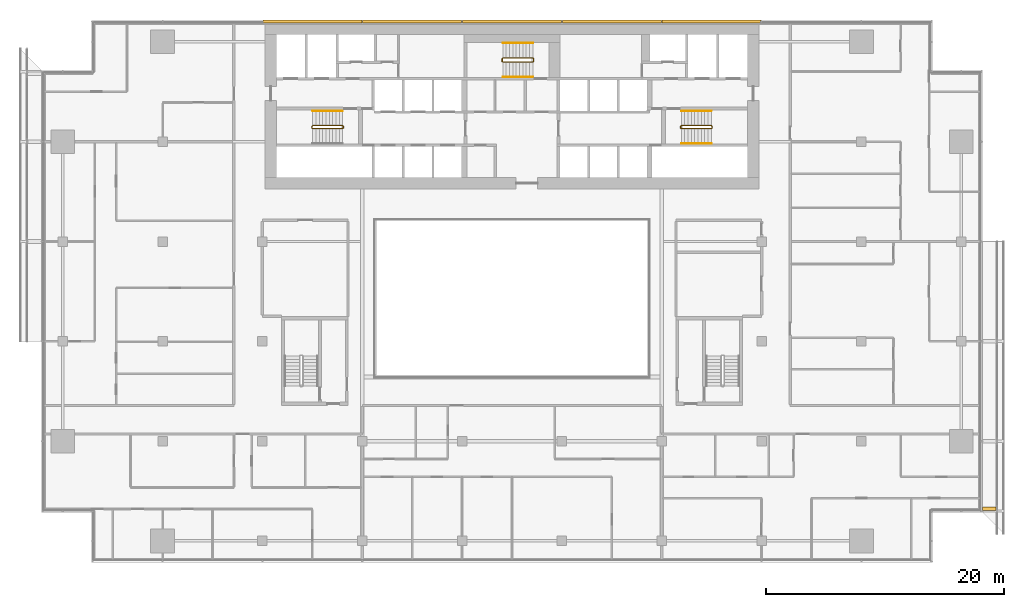
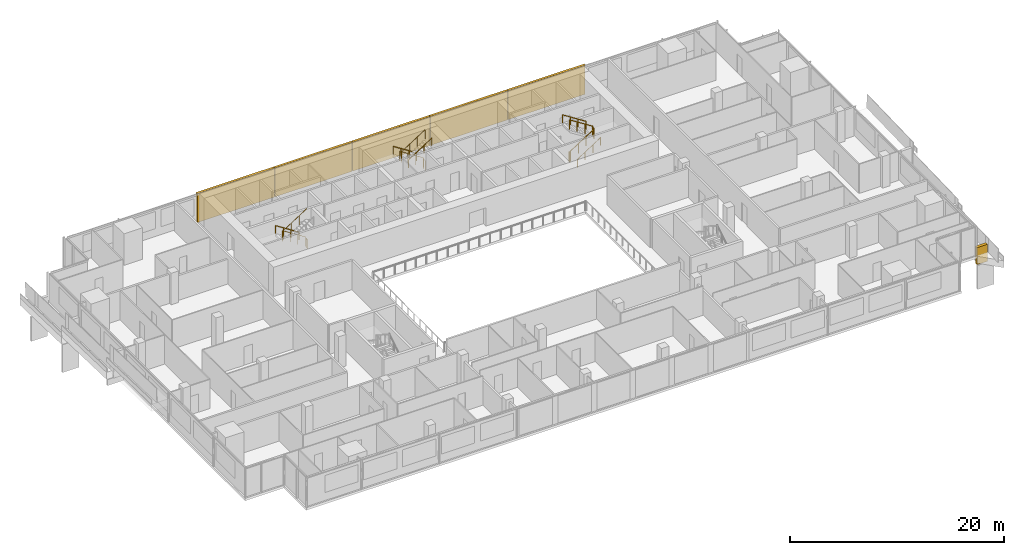
# One storey, part 24 of 25: 8 railings, 6 coverings.
"""IFC4 building model written with IfcOpenShell, lengths in metres."""

from ifc_helpers import new_model, si_unit, direction, frame, origin, origin_2d, place, context, subcontext, project, spatial, polyline, rectangle, circle, outline, extrude, material, layer, layer_set, type_object, element, save


model = new_model("IFC4")

# Units and contexts
model_context = context("Model", 3, precision=1e-05, world=origin(), true_north=direction((0.0, 1.0)))
body_context = subcontext(model_context, "Body", "Model", "MODEL_VIEW")
ifc_project = project(units=[si_unit("LENGTHUNIT", "METRE"), si_unit("AREAUNIT", "SQUARE_METRE"), si_unit("VOLUMEUNIT", "CUBIC_METRE"), si_unit("PLANEANGLEUNIT", "RADIAN"), si_unit("MASSUNIT", "GRAM", prefix="KILO")], contexts=[model_context])

# Site, building, storey
site_placement = place(None, origin())
site = spatial("IfcSite", under=ifc_project, at=site_placement, CompositionType="ELEMENT")
building_placement = place(site_placement, origin())
building = spatial("IfcBuilding", under=site, at=building_placement, Name="Saffron Gate Tower", CompositionType="ELEMENT")
storey_placement = place(building_placement, frame((0.0, 0.0, 131.25)))
storey = spatial("IfcBuildingStorey", under=building, at=storey_placement, Name="L31", CompositionType="ELEMENT", Elevation=131.25)

# Coverings
ifc_material_1 = material(Name="Ceramic-printed bronze insulated panel")
ifc_layer_1 = layer(ifc_material_1, 0.239990234375)
ifc_layer_set_1 = layer_set([ifc_layer_1], Name="CLD2 ceramic-printed cladding panel 240")
covering_type_1 = type_object("IfcCoveringType", Name="CLD2 ceramic-printed cladding panel 240", PredefinedType="CLADDING", material=ifc_layer_set_1)
covering_1_placement = place(storey_placement, origin())
element("IfcCovering", 1, at=covering_1_placement, inside=storey, type_object=covering_type_1, Name="CLADDING ceramic-printed panel", PredefinedType="CLADDING", context=body_context, shape_type="SweptSolid", body=[
    extrude(outline(polyline([(108.56494140625, 75.639892578125), (100.235107421875, 75.639892578125), (100.235107421875, 75.39990234375), (108.56494140625, 75.39990234375), (108.56494140625, 75.639892578125)])), origin(), (0.0, 0.0, 1.0), 3.320068359375),
])
covering_2_placement = place(storey_placement, origin())
element("IfcCovering", 2, at=covering_2_placement, inside=storey, type_object=covering_type_1, Name="CLADDING ceramic-printed panel", PredefinedType="CLADDING", context=body_context, shape_type="SweptSolid", body=[
    extrude(outline(polyline([(100.1650390625, 75.639892578125), (91.8349609375, 75.639892578125), (91.8349609375, 75.39990234375), (100.1650390625, 75.39990234375), (100.1650390625, 75.639892578125)])), origin(), (0.0, 0.0, 1.0), 3.320068359375),
])
covering_3_placement = place(storey_placement, origin())
element("IfcCovering", 3, at=covering_3_placement, inside=storey, type_object=covering_type_1, Name="CLADDING ceramic-printed panel", PredefinedType="CLADDING", context=body_context, shape_type="SweptSolid", body=[
    extrude(outline(polyline([(91.764892578125, 75.639892578125), (83.43505859375, 75.639892578125), (83.43505859375, 75.39990234375), (91.764892578125, 75.39990234375), (91.764892578125, 75.639892578125)])), origin(), (0.0, 0.0, 1.0), 3.320068359375),
])
covering_4_placement = place(storey_placement, origin())
element("IfcCovering", 4, at=covering_4_placement, inside=storey, type_object=covering_type_1, Name="CLADDING ceramic-printed panel", PredefinedType="CLADDING", context=body_context, shape_type="SweptSolid", body=[
    extrude(outline(polyline([(83.364990234375, 75.639892578125), (75.034912109375, 75.639892578125), (75.034912109375, 75.39990234375), (83.364990234375, 75.39990234375), (83.364990234375, 75.639892578125)])), origin(), (0.0, 0.0, 1.0), 3.320068359375),
])
covering_5_placement = place(storey_placement, origin())
element("IfcCovering", 5, at=covering_5_placement, inside=storey, type_object=covering_type_1, Name="CLADDING ceramic-printed panel", PredefinedType="CLADDING", context=body_context, shape_type="SweptSolid", body=[
    extrude(outline(polyline([(74.965087890625, 75.639892578125), (66.635009765625, 75.639892578125), (66.635009765625, 75.39990234375), (74.965087890625, 75.39990234375), (74.965087890625, 75.639892578125)])), origin(), (0.0, 0.0, 1.0), 3.320068359375),
])

# Railings
ifc_material_2 = material(Name="Stainless steel and laminated glass", Category="steel")
railing_type_1 = type_object("IfcRailingType", Name="CR1 Stair guard 1100", PredefinedType="GUARDRAIL", material=ifc_material_2)
railing_1_placement = place(storey_placement, frame((73.39990234375, 66.550048828125, 0.0)))
element("IfcRailing", 6, at=railing_1_placement, inside=storey, type_object=railing_type_1, Name="L31 ST-A stair guard 1", PredefinedType="GUARDRAIL", context=body_context, shape_type="SweptSolid", body=[
    extrude(circle(Radius=0.02392578125, at=origin_2d()), frame((0.0, 0.0, 1.076171875), z_axis=(0.0, 1.0, 0.0), x_axis=(-1.0, 0.0, 0.0)), (0.0, 0.0, 1.0), 0.14990234375),
    extrude(circle(Radius=0.02392578125, at=origin_2d()), frame((0.0, 0.14990234375, 1.076171875), z_axis=(-0.257669022063, 0.258932105505, 0.930892496375), x_axis=(-0.708833529934, -0.705375805398, 0.0)), (0.0, 0.0, 1.0), 0.193359375),
    extrude(circle(Radius=0.02392578125, at=origin_2d()), frame((-0.0498046875, 0.199951171875, 1.255859375), z_axis=(-0.841162588446, 0.0, 0.540782303519), x_axis=(0.0, -1.0, 0.0)), (0.0, 0.0, 1.0), 2.995849609375),
    extrude(circle(Radius=0.02392578125, at=origin_2d()), frame((-2.56982421875, 0.199951171875, 2.8759765625), z_axis=(-0.707106781187, -0.707106781187, 0.0), x_axis=(0.707106781187, -0.707106781187, 0.0)), (0.0, 0.0, 1.0), 0.07080078125),
    extrude(circle(Radius=0.02392578125, at=origin_2d()), frame((-2.619873046875, 0.14990234375, 2.8759765625), z_axis=(0.0, -1.0, 0.0), x_axis=(1.0, 0.0, 0.0)), (0.0, 0.0, 1.0), 0.14990234375),
    extrude(circle(Radius=0.02392578125, at=origin_2d()), frame((-2.619873046875, 0.0, 2.8759765625), z_axis=(0.258847668887, -0.258847668887, 0.930588936439), x_axis=(0.707106781187, 0.707106781187, 0.0)), (0.0, 0.0, 1.0), 0.193359375),
    extrude(circle(Radius=0.02392578125, at=origin_2d()), frame((-2.56982421875, -0.050048828125, 3.05615234375), z_axis=(0.841162588446, 0.0, 0.540782303519), x_axis=(0.0, 1.0, 0.0)), (0.0, 0.0, 1.0), 2.995849609375),
    extrude(circle(Radius=0.02099609375, at=origin_2d()), origin(), (0.0, 0.0, 1.0), 1.052001953125),
    extrude(circle(Radius=0.02099609375, at=origin_2d()), frame((0.0, 0.14990234375, 0.0)), (0.0, 0.0, 1.0), 1.052001953125),
    extrude(circle(Radius=0.02099609375, at=origin_2d()), frame((-0.0498046875, 0.199951171875, 0.179931640625)), (0.0, 0.0, 1.0), 1.052001953125),
    extrude(circle(Radius=0.02099609375, at=origin_2d()), frame((-0.889892578125, 0.199951171875, 0.719970703125)), (0.0, 0.0, 1.0), 1.052001953125),
    extrude(circle(Radius=0.02099609375, at=origin_2d()), frame((-1.729736328125, 0.199951171875, 1.260009765625)), (0.0, 0.0, 1.0), 1.052001953125),
    extrude(circle(Radius=0.02099609375, at=origin_2d()), frame((-2.56982421875, 0.199951171875, 1.800048828125)), (0.0, 0.0, 1.0), 1.052001953125),
    extrude(circle(Radius=0.02099609375, at=origin_2d()), frame((-2.619873046875, 0.14990234375, 1.800048828125)), (0.0, 0.0, 1.0), 1.052001953125),
    extrude(circle(Radius=0.02099609375, at=origin_2d()), frame((-2.619873046875, 0.0, 1.800048828125)), (0.0, 0.0, 1.0), 1.052001953125),
    extrude(circle(Radius=0.02099609375, at=origin_2d()), frame((-2.56982421875, -0.050048828125, 1.97998046875)), (0.0, 0.0, 1.0), 1.052001953125),
    extrude(circle(Radius=0.02099609375, at=origin_2d()), frame((-1.729736328125, -0.050048828125, 2.52001953125)), (0.0, 0.0, 1.0), 1.052001953125),
    extrude(circle(Radius=0.02099609375, at=origin_2d()), frame((-0.889892578125, -0.050048828125, 3.06005859375)), (0.0, 0.0, 1.0), 1.052001953125),
    extrude(circle(Radius=0.02099609375, at=origin_2d()), frame((-0.0498046875, -0.050048828125, 3.60009765625)), (0.0, 0.0, 1.0), 1.052001953125),
])
railing_2_placement = place(storey_placement, frame((101.800048828125, 66.699951171875, 0.0)))
element("IfcRailing", 7, at=railing_2_placement, inside=storey, type_object=railing_type_1, Name="L31 ST-B stair guard 1", PredefinedType="GUARDRAIL", context=body_context, shape_type="SweptSolid", body=[
    extrude(circle(Radius=0.02392578125, at=origin_2d()), frame((0.0, 0.0, 1.076171875), z_axis=(0.0, -1.0, 0.0), x_axis=(1.0, 0.0, 0.0)), (0.0, 0.0, 1.0), 0.14990234375),
    extrude(circle(Radius=0.02392578125, at=origin_2d()), frame((0.0, -0.14990234375, 1.076171875), z_axis=(0.258847668887, -0.258847668887, 0.930588936439), x_axis=(0.707106781187, 0.707106781187, 0.0)), (0.0, 0.0, 1.0), 0.193359375),
    extrude(circle(Radius=0.02392578125, at=origin_2d()), frame((0.050048828125, -0.199951171875, 1.255859375), z_axis=(0.841162588446, 0.0, 0.540782303519), x_axis=(0.0, 1.0, 0.0)), (0.0, 0.0, 1.0), 2.995849609375),
    extrude(circle(Radius=0.02392578125, at=origin_2d()), frame((2.570068359375, -0.199951171875, 2.8759765625), z_axis=(0.705375805398, 0.708833529934, 0.0), x_axis=(-0.708833529934, 0.705375805398, 0.0)), (0.0, 0.0, 1.0), 0.070556640625),
    extrude(circle(Radius=0.02392578125, at=origin_2d()), frame((2.619873046875, -0.14990234375, 2.8759765625), z_axis=(0.0, 1.0, 0.0), x_axis=(-1.0, 0.0, 0.0)), (0.0, 0.0, 1.0), 0.14990234375),
    extrude(circle(Radius=0.02392578125, at=origin_2d()), frame((2.619873046875, 0.0, 2.8759765625), z_axis=(-0.257669022063, 0.258932105505, 0.930892496375), x_axis=(-0.708833529934, -0.705375805398, 0.0)), (0.0, 0.0, 1.0), 0.193359375),
    extrude(circle(Radius=0.02392578125, at=origin_2d()), frame((2.570068359375, 0.050048828125, 3.05615234375), z_axis=(-0.841162588446, 0.0, 0.540782303519), x_axis=(0.0, -1.0, 0.0)), (0.0, 0.0, 1.0), 2.995849609375),
    extrude(circle(Radius=0.02099609375, at=origin_2d()), origin(), (0.0, 0.0, 1.0), 1.052001953125),
    extrude(circle(Radius=0.02099609375, at=origin_2d()), frame((0.0, -0.14990234375, 0.0)), (0.0, 0.0, 1.0), 1.052001953125),
    extrude(circle(Radius=0.02099609375, at=origin_2d()), frame((0.050048828125, -0.199951171875, 0.179931640625)), (0.0, 0.0, 1.0), 1.052001953125),
    extrude(circle(Radius=0.02099609375, at=origin_2d()), frame((0.89013671875, -0.199951171875, 0.719970703125)), (0.0, 0.0, 1.0), 1.052001953125),
    extrude(circle(Radius=0.02099609375, at=origin_2d()), frame((1.72998046875, -0.199951171875, 1.260009765625)), (0.0, 0.0, 1.0), 1.052001953125),
    extrude(circle(Radius=0.02099609375, at=origin_2d()), frame((2.570068359375, -0.199951171875, 1.800048828125)), (0.0, 0.0, 1.0), 1.052001953125),
    extrude(circle(Radius=0.02099609375, at=origin_2d()), frame((2.619873046875, -0.14990234375, 1.800048828125)), (0.0, 0.0, 1.0), 1.052001953125),
    extrude(circle(Radius=0.02099609375, at=origin_2d()), frame((2.619873046875, 0.0, 1.800048828125)), (0.0, 0.0, 1.0), 1.052001953125),
    extrude(circle(Radius=0.02099609375, at=origin_2d()), frame((2.570068359375, 0.050048828125, 1.97998046875)), (0.0, 0.0, 1.0), 1.052001953125),
    extrude(circle(Radius=0.02099609375, at=origin_2d()), frame((1.72998046875, 0.050048828125, 2.52001953125)), (0.0, 0.0, 1.0), 1.052001953125),
    extrude(circle(Radius=0.02099609375, at=origin_2d()), frame((0.89013671875, 0.050048828125, 3.06005859375)), (0.0, 0.0, 1.0), 1.052001953125),
    extrude(circle(Radius=0.02099609375, at=origin_2d()), frame((0.050048828125, 0.050048828125, 3.60009765625)), (0.0, 0.0, 1.0), 1.052001953125),
])
railing_3_placement = place(storey_placement, frame((89.39990234375, 72.14990234375, 0.0)))
element("IfcRailing", 8, at=railing_3_placement, inside=storey, type_object=railing_type_1, Name="L31 ST-C stair guard 1", PredefinedType="GUARDRAIL", context=body_context, shape_type="SweptSolid", body=[
    extrude(circle(Radius=0.02392578125, at=origin_2d()), frame((0.0, 0.0, 1.076171875), z_axis=(0.0, 1.0, 0.0), x_axis=(-1.0, 0.0, 0.0)), (0.0, 0.0, 1.0), 0.25),
    extrude(circle(Radius=0.02392578125, at=origin_2d()), frame((0.0, 0.25, 1.076171875), z_axis=(-0.257669022063, 0.258932105505, 0.930892496375), x_axis=(-0.708833529934, -0.705375805398, 0.0)), (0.0, 0.0, 1.0), 0.193359375),
    extrude(circle(Radius=0.02392578125, at=origin_2d()), frame((-0.0498046875, 0.300048828125, 1.255859375), z_axis=(-0.841162588446, 0.0, 0.540782303519), x_axis=(0.0, -1.0, 0.0)), (0.0, 0.0, 1.0), 2.995849609375),
    extrude(circle(Radius=0.02392578125, at=origin_2d()), frame((-2.56982421875, 0.300048828125, 2.8759765625), z_axis=(-0.707106781187, -0.707106781187, 0.0), x_axis=(0.707106781187, -0.707106781187, 0.0)), (0.0, 0.0, 1.0), 0.07080078125),
    extrude(circle(Radius=0.02392578125, at=origin_2d()), frame((-2.619873046875, 0.25, 2.8759765625), z_axis=(0.0, -1.0, 0.0), x_axis=(1.0, 0.0, 0.0)), (0.0, 0.0, 1.0), 0.25),
    extrude(circle(Radius=0.02392578125, at=origin_2d()), frame((-2.619873046875, 0.0, 2.8759765625), z_axis=(0.258932105505, -0.257669022063, 0.930892496375), x_axis=(0.705375805398, 0.708833529934, 0.0)), (0.0, 0.0, 1.0), 0.193359375),
    extrude(circle(Radius=0.02392578125, at=origin_2d()), frame((-2.56982421875, -0.0498046875, 3.05615234375), z_axis=(0.841162588446, 0.0, 0.540782303519), x_axis=(0.0, 1.0, 0.0)), (0.0, 0.0, 1.0), 2.995849609375),
    extrude(circle(Radius=0.02099609375, at=origin_2d()), origin(), (0.0, 0.0, 1.0), 1.052001953125),
    extrude(circle(Radius=0.02099609375, at=origin_2d()), frame((0.0, 0.25, 0.0)), (0.0, 0.0, 1.0), 1.052001953125),
    extrude(circle(Radius=0.02099609375, at=origin_2d()), frame((-0.0498046875, 0.300048828125, 0.179931640625)), (0.0, 0.0, 1.0), 1.052001953125),
    extrude(circle(Radius=0.02099609375, at=origin_2d()), frame((-0.889892578125, 0.300048828125, 0.719970703125)), (0.0, 0.0, 1.0), 1.052001953125),
    extrude(circle(Radius=0.02099609375, at=origin_2d()), frame((-1.729736328125, 0.300048828125, 1.260009765625)), (0.0, 0.0, 1.0), 1.052001953125),
    extrude(circle(Radius=0.02099609375, at=origin_2d()), frame((-2.56982421875, 0.300048828125, 1.800048828125)), (0.0, 0.0, 1.0), 1.052001953125),
    extrude(circle(Radius=0.02099609375, at=origin_2d()), frame((-2.619873046875, 0.25, 1.800048828125)), (0.0, 0.0, 1.0), 1.052001953125),
    extrude(circle(Radius=0.02099609375, at=origin_2d()), frame((-2.619873046875, 0.0, 1.800048828125)), (0.0, 0.0, 1.0), 1.052001953125),
    extrude(circle(Radius=0.02099609375, at=origin_2d()), frame((-2.56982421875, -0.0498046875, 1.97998046875)), (0.0, 0.0, 1.0), 1.052001953125),
    extrude(circle(Radius=0.02099609375, at=origin_2d()), frame((-1.729736328125, -0.0498046875, 2.52001953125)), (0.0, 0.0, 1.0), 1.052001953125),
    extrude(circle(Radius=0.02099609375, at=origin_2d()), frame((-0.889892578125, -0.0498046875, 3.06005859375)), (0.0, 0.0, 1.0), 1.052001953125),
    extrude(circle(Radius=0.02099609375, at=origin_2d()), frame((-0.0498046875, -0.0498046875, 3.60009765625)), (0.0, 0.0, 1.0), 1.052001953125),
])
ifc_material_3 = material(Name="Stainless steel", Category="steel")
railing_type_2 = type_object("IfcRailingType", Name="CR2 Stair handrail 900", PredefinedType="HANDRAIL", material=ifc_material_3)
railing_4_placement = place(storey_placement, frame((73.35009765625, 68.0, 0.179931640625)))
element("IfcRailing", 9, at=railing_4_placement, inside=storey, type_object=railing_type_2, Name="L31 ST-A stair handrail 1", PredefinedType="HANDRAIL", context=body_context, shape_type="SweptSolid", body=[
    extrude(circle(Radius=0.02392578125, at=origin_2d()), frame((0.0, 0.0, 0.8759765625), z_axis=(-0.841162588446, 0.0, 0.540782303519), x_axis=(0.0, -1.0, 0.0)), (0.0, 0.0, 1.0), 2.995849609375),
    extrude(circle(Radius=0.02099609375, at=origin_2d()), origin(), (0.0, 0.0, 1.0), 0.851806640625),
    extrude(circle(Radius=0.02099609375, at=origin_2d()), frame((-0.840087890625, 0.0, 0.5400390625)), (0.0, 0.0, 1.0), 0.851806640625),
    extrude(circle(Radius=0.02099609375, at=origin_2d()), frame((-1.679931640625, 0.0, 1.080078125)), (0.0, 0.0, 1.0), 0.851806640625),
    extrude(circle(Radius=0.02099609375, at=origin_2d()), frame((-2.52001953125, 0.0, 1.6201171875)), (0.0, 0.0, 1.0), 0.851806640625),
])
railing_5_placement = place(storey_placement, frame((101.85009765625, 65.25, 0.179931640625)))
element("IfcRailing", 10, at=railing_5_placement, inside=storey, type_object=railing_type_2, Name="L31 ST-B stair handrail 1", PredefinedType="HANDRAIL", context=body_context, shape_type="SweptSolid", body=[
    extrude(circle(Radius=0.02392578125, at=origin_2d()), frame((0.0, 0.0, 0.8759765625), z_axis=(0.841162588446, 0.0, 0.540782303519), x_axis=(0.0, 1.0, 0.0)), (0.0, 0.0, 1.0), 2.995849609375),
    extrude(circle(Radius=0.02099609375, at=origin_2d()), origin(), (0.0, 0.0, 1.0), 0.851806640625),
    extrude(circle(Radius=0.02099609375, at=origin_2d()), frame((0.840087890625, 0.0, 0.5400390625)), (0.0, 0.0, 1.0), 0.851806640625),
    extrude(circle(Radius=0.02099609375, at=origin_2d()), frame((1.679931640625, 0.0, 1.080078125)), (0.0, 0.0, 1.0), 0.851806640625),
    extrude(circle(Radius=0.02099609375, at=origin_2d()), frame((2.52001953125, 0.0, 1.6201171875)), (0.0, 0.0, 1.0), 0.851806640625),
])
for number, where, name in (
    (11, (104.3701171875, 68.0, 1.97998046875), "L31 ST-B stair handrail 2"),
    (12, (89.35009765625, 73.699951171875, 0.179931640625), "L31 ST-C stair handrail 1"),
):
    element("IfcRailing", number, at=place(storey_placement, frame(where)), inside=storey, type_object=railing_type_2, Name=name, PredefinedType="HANDRAIL", context=body_context, shape_type="SweptSolid", body=[
        extrude(circle(Radius=0.02392578125, at=origin_2d()), frame((0.0, 0.0, 0.8759765625), z_axis=(-0.841162588446, 0.0, 0.540782303519), x_axis=(0.0, -1.0, 0.0)), (0.0, 0.0, 1.0), 2.995849609375),
        extrude(circle(Radius=0.02099609375, at=origin_2d()), origin(), (0.0, 0.0, 1.0), 0.851806640625),
        extrude(circle(Radius=0.02099609375, at=origin_2d()), frame((-0.840087890625, 0.0, 0.5400390625)), (0.0, 0.0, 1.0), 0.851806640625),
        extrude(circle(Radius=0.02099609375, at=origin_2d()), frame((-1.679931640625, 0.0, 1.080078125)), (0.0, 0.0, 1.0), 0.851806640625),
        extrude(circle(Radius=0.02099609375, at=origin_2d()), frame((-2.52001953125, 0.0, 1.6201171875)), (0.0, 0.0, 1.0), 0.851806640625),
    ])
railing_6_placement = place(storey_placement, frame((86.830078125, 70.85009765625, 1.97998046875)))
element("IfcRailing", 13, at=railing_6_placement, inside=storey, type_object=railing_type_2, Name="L31 ST-C stair handrail 2", PredefinedType="HANDRAIL", context=body_context, shape_type="SweptSolid", body=[
    extrude(circle(Radius=0.02392578125, at=origin_2d()), frame((0.0, 0.0, 0.8759765625), z_axis=(0.841162588446, 0.0, 0.540782303519), x_axis=(0.0, 1.0, 0.0)), (0.0, 0.0, 1.0), 2.995849609375),
    extrude(circle(Radius=0.02099609375, at=origin_2d()), origin(), (0.0, 0.0, 1.0), 0.851806640625),
    extrude(circle(Radius=0.02099609375, at=origin_2d()), frame((0.840087890625, 0.0, 0.5400390625)), (0.0, 0.0, 1.0), 0.851806640625),
    extrude(circle(Radius=0.02099609375, at=origin_2d()), frame((1.679931640625, 0.0, 1.080078125)), (0.0, 0.0, 1.0), 0.851806640625),
    extrude(circle(Radius=0.02099609375, at=origin_2d()), frame((2.52001953125, 0.0, 1.6201171875)), (0.0, 0.0, 1.0), 0.851806640625),
])

# Covering
ifc_material_4 = material(Name="Timber, thermally modified ash", Category="wood")
ifc_layer_2 = layer(ifc_material_4, 0.300048828125)
ifc_layer_set_2 = layer_set([ifc_layer_2], Name="LD3 ledge riser fin")
covering_type_2 = type_object("IfcCoveringType", Name="LD3 ledge riser fin", PredefinedType="CLADDING", material=ifc_layer_set_2)
covering_6_placement = place(storey_placement, frame((127.760009765625, 34.5, -1.12890625), z_axis=(0.0, 0.0, 1.0), x_axis=(0.0, 1.0, 0.0)))
element("IfcCovering", 14, at=covering_6_placement, inside=storey, type_object=covering_type_2, Name="LEDGE riser fin", PredefinedType="CLADDING", context=body_context, shape_type="SweptSolid", body=[
    extrude(rectangle(XDim=0.300048828125, YDim=1.1201171875, at=origin_2d()), origin(), (0.0, 0.0, 1.0), 1.957275390625),
])

save(model, "model.ifc")
